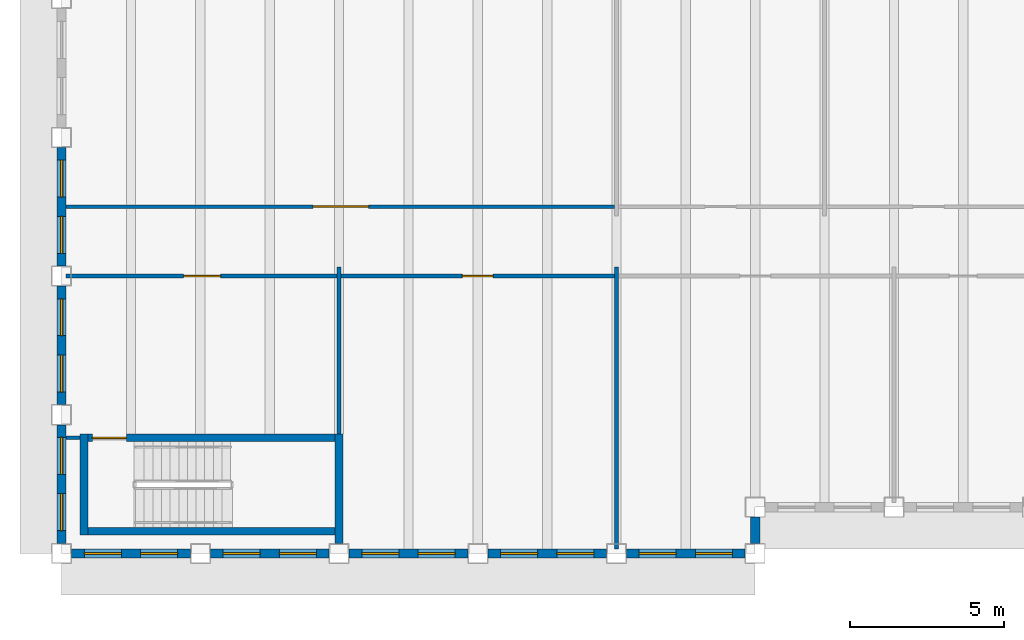
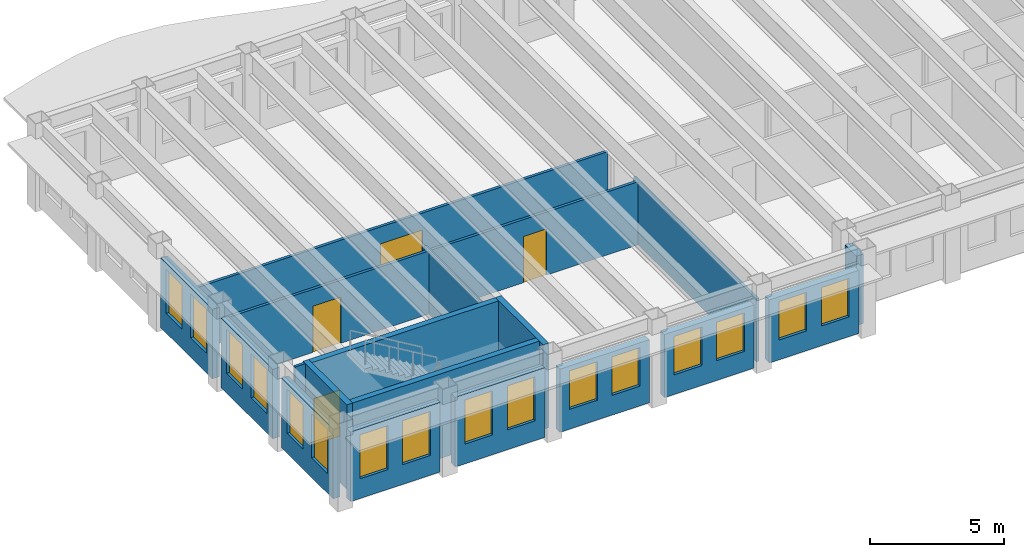
# One storey, part 2 of 12: 19 walls, 16 windows, 4 doors, 20 openings.
"""IFC4 building model written with IfcOpenShell, lengths in metres."""

from ifc_helpers import new_model, si_unit, direction, frame, frame_2d, origin, place, context, subcontext, project, spatial, rectangle, extrude, material, layer, layer_set, type_object, element, fill, save


model = new_model("IFC4")

# Units and contexts
model_context = context("Model", 3, precision=1e-05, world=origin(), true_north=direction((0.0, 1.0)))
body_context = subcontext(model_context, "Body", "Model", "MODEL_VIEW")
ifc_project = project(units=[si_unit("LENGTHUNIT", "METRE"), si_unit("AREAUNIT", "SQUARE_METRE"), si_unit("VOLUMEUNIT", "CUBIC_METRE"), si_unit("PLANEANGLEUNIT", "RADIAN"), si_unit("MASSUNIT", "GRAM", prefix="KILO")], contexts=[model_context])

# Site, building, storey
site_placement = place(None, origin())
site = spatial("IfcSite", under=ifc_project, at=site_placement, CompositionType="ELEMENT")
building_placement = place(site_placement, origin())
building = spatial("IfcBuilding", under=site, at=building_placement, Name="Sennacour Bend Tower", CompositionType="ELEMENT")
storey_placement = place(building_placement, frame((0.0, 0.0, 249.0)))
storey = spatial("IfcBuildingStorey", under=building, at=storey_placement, Name="L57", CompositionType="ELEMENT", Elevation=249.0)

# Walls
ifc_material_1 = material(Name="Plasterboard partition on steel studs", Category="steel")
ifc_layer_1 = layer(ifc_material_1, 0.1201171875, Name="Plasterboard partition on steel studs", Category="steel")
ifc_layer_set_1 = layer_set([ifc_layer_1], Name="Plasterboard partition on steel studs")
wall_type_1 = type_object("IfcWallType", Name="Partition 120", PredefinedType="PARTITIONING", material=ifc_layer_set_1)
wall_1_placement = place(storey_placement, frame((9.0, 3.875, 0.0), z_axis=(0.0, 0.0, 1.0), x_axis=(0.0, 1.0, 0.0)))
element("IfcWall", 1, at=wall_1_placement, inside=storey, type_object=wall_type_1, Name="P-L57-W005a", PredefinedType="PARTITIONING", context=body_context, shape_type="SweptSolid", body=[
    extrude(rectangle(XDim=5.425048828125, YDim=0.1201171875, at=frame_2d((2.71240234375, 0.0))), origin(), (0.0, 0.0, 1.0), 2.8701171875),
])
wall_2_placement = place(storey_placement, frame((18.0, 0.14990234375, 0.0), z_axis=(0.0, 0.0, 1.0), x_axis=(0.0, 1.0, 0.0)))
element("IfcWall", 2, at=wall_2_placement, inside=storey, type_object=wall_type_1, Name="P-L57-W006a", PredefinedType="PARTITIONING", context=body_context, shape_type="SweptSolid", body=[
    extrude(rectangle(XDim=9.150146484375, YDim=0.1201171875, at=frame_2d((4.5751953125, 0.0))), origin(), (0.0, 0.0, 1.0), 2.8701171875),
])
wall_3_placement = place(storey_placement, frame((0.14990234375, 3.75, 0.0), z_axis=(0.0, 0.0, 1.0), x_axis=(1.0, 0.0, 0.0)))
element("IfcWall", 3, at=wall_3_placement, inside=storey, type_object=wall_type_1, Name="P-L57-W036a", PredefinedType="PARTITIONING", context=body_context, shape_type="SweptSolid", body=[
    extrude(rectangle(XDim=0.4501953125, YDim=0.1201171875, at=frame_2d((0.22509765625, 0.0))), origin(), (0.0, 0.0, 1.0), 3.85009765625),
])

# Wall, opening, door
wall_4_placement = place(storey_placement, frame((9.06005859375, 9.0, 0.0), z_axis=(0.0, 0.0, 1.0), x_axis=(1.0, 0.0, 0.0)))
wall_4 = element("IfcWall", 4, at=wall_4_placement, inside=storey, type_object=wall_type_1, Name="P-L57-W043ab", PredefinedType="PARTITIONING", context=body_context, shape_type="SweptSolid", body=[
    extrude(rectangle(XDim=8.8798828125, YDim=0.1201171875, at=frame_2d((4.43994140625, 0.0))), origin(), (0.0, 0.0, 1.0), 2.8701171875),
])
opening_1_placement = place(wall_4_placement, frame((3.93994140625, 0.0, 0.0)))
opening_1 = element("IfcOpeningElement", 5, at=opening_1_placement, cuts=wall_4, Name="Opening OD2", PredefinedType="OPENING", context=body_context, shape_type="SweptSolid", body=[
    extrude(rectangle(XDim=1.0, YDim=2.10009765625, at=frame_2d((0.5, 1.050048828125))), frame((0.0, 0.070068359375, 0.0), z_axis=(0.0, -1.0, 0.0), x_axis=(1.0, 0.0, 0.0)), (0.0, 0.0, 1.0), 0.14013671875),
])
ifc_material_2 = material(Name="Timber", Category="wood")
door_type_1 = type_object("IfcDoorType", Name="DR-OFFICE-1000", OperationType="NOTDEFINED", PredefinedType="DOOR", material=ifc_material_2)
door_1_placement = place(opening_1_placement, origin())
door_1 = element("IfcDoor", 6, at=door_1_placement, inside=storey, type_object=door_type_1, Name="Door", OperationType="SINGLE_SWING_LEFT", OverallHeight=2.10009765625, OverallWidth=1.0, PredefinedType="DOOR", context=body_context, shape_type="SweptSolid", body=[
    extrude(rectangle(XDim=1.0, YDim=2.10009765625, at=frame_2d((0.5, 1.050048828125))), frame((0.0, 0.02490234375, 0.0), z_axis=(0.0, -1.0, 0.0), x_axis=(1.0, 0.0, 0.0)), (0.0, 0.0, 1.0), 0.050048828125),
])
fill(opening_1, door_1)

wall_5_placement = place(storey_placement, frame((0.14990234375, 11.25, 0.0), z_axis=(0.0, 0.0, 1.0), x_axis=(1.0, 0.0, 0.0)))
wall_5 = element("IfcWall", 7, at=wall_5_placement, inside=storey, type_object=wall_type_1, Name="P-L57-W046aa", PredefinedType="PARTITIONING", context=body_context, shape_type="SweptSolid", body=[
    extrude(rectangle(XDim=17.7900390625, YDim=0.1201171875, at=frame_2d((8.89501953125, 0.0))), origin(), (0.0, 0.0, 1.0), 2.8701171875),
])
opening_2_placement = place(wall_5_placement, frame((8.005126953125, 0.0, 0.0)))
opening_2 = element("IfcOpeningElement", 8, at=opening_2_placement, cuts=wall_5, Name="Opening OD3", PredefinedType="OPENING", context=body_context, shape_type="SweptSolid", body=[
    extrude(rectangle(XDim=1.800048828125, YDim=2.10009765625, at=frame_2d((0.89990234375, 1.050048828125))), frame((0.0, 0.070068359375, 0.0), z_axis=(0.0, -1.0, 0.0), x_axis=(1.0, 0.0, 0.0)), (0.0, 0.0, 1.0), 0.14013671875),
])
door_type_2 = type_object("IfcDoorType", Name="DR-OFFICE-1800", OperationType="NOTDEFINED", PredefinedType="DOOR", material=ifc_material_2)
door_2_placement = place(opening_2_placement, origin())
door_2 = element("IfcDoor", 9, at=door_2_placement, inside=storey, type_object=door_type_2, Name="Door", OperationType="DOUBLE_DOOR_SINGLE_SWING", OverallHeight=2.10009765625, OverallWidth=1.800048828125, PredefinedType="DOOR", context=body_context, shape_type="SweptSolid", body=[
    extrude(rectangle(XDim=1.800048828125, YDim=2.10009765625, at=frame_2d((0.89990234375, 1.050048828125))), frame((0.0, 0.02490234375, 0.0), z_axis=(0.0, -1.0, 0.0), x_axis=(1.0, 0.0, 0.0)), (0.0, 0.0, 1.0), 0.050048828125),
])
fill(opening_2, door_2)

ifc_layer_2 = layer(ifc_material_1, 0.1201171875, Name="Plasterboard partition on steel studs", Category="steel")
ifc_layer_set_2 = layer_set([ifc_layer_2], Name="Plasterboard partition on steel studs")
wall_type_2 = type_object("IfcWallType", Name="Partition 120 EI 30", PredefinedType="PARTITIONING", material=ifc_layer_set_2)
wall_6_placement = place(storey_placement, frame((0.14990234375, 9.0, 0.0), z_axis=(0.0, 0.0, 1.0), x_axis=(1.0, 0.0, 0.0)))
wall_6 = element("IfcWall", 10, at=wall_6_placement, inside=storey, type_object=wall_type_2, Name="P-L57-W043aa", PredefinedType="PARTITIONING", context=body_context, shape_type="SweptSolid", body=[
    extrude(rectangle(XDim=8.7900390625, YDim=0.1201171875, at=frame_2d((4.39501953125, 0.0))), origin(), (0.0, 0.0, 1.0), 2.8701171875),
])
opening_3_placement = place(wall_6_placement, frame((3.80517578125, 0.0, 0.0)))
opening_3 = element("IfcOpeningElement", 11, at=opening_3_placement, cuts=wall_6, Name="Opening KD2", PredefinedType="OPENING", context=body_context, shape_type="SweptSolid", body=[
    extrude(rectangle(XDim=1.199951171875, YDim=2.10009765625, at=frame_2d((0.60009765625, 1.050048828125))), frame((0.0, 0.070068359375, 0.0), z_axis=(0.0, -1.0, 0.0), x_axis=(1.0, 0.0, 0.0)), (0.0, 0.0, 1.0), 0.14013671875),
])
ifc_material_3 = material(Name="Painted steel", Category="steel")
door_type_3 = type_object("IfcDoorType", Name="DR-CORRIDOR-1200", OperationType="NOTDEFINED", PredefinedType="DOOR", material=ifc_material_3)
door_3_placement = place(opening_3_placement, origin())
door_3 = element("IfcDoor", 12, at=door_3_placement, inside=storey, type_object=door_type_3, Name="Door", OperationType="SINGLE_SWING_RIGHT", OverallHeight=2.10009765625, OverallWidth=1.199951171875, PredefinedType="DOOR", context=body_context, shape_type="SweptSolid", body=[
    extrude(rectangle(XDim=1.199951171875, YDim=2.10009765625, at=frame_2d((0.60009765625, 1.050048828125))), frame((0.0, 0.02490234375, 0.0), z_axis=(0.0, -1.0, 0.0), x_axis=(1.0, 0.0, 0.0)), (0.0, 0.0, 1.0), 0.050048828125),
])
fill(opening_3, door_3)

# Wall
ifc_material_4 = material(Name="Warm limestone cladding", Category="masonry")
ifc_layer_3 = layer(ifc_material_4, 0.050048828125, Name="Warm limestone cladding", Category="masonry")
ifc_material_5 = material(Name="Precast concrete C40/50", Category="concrete")
ifc_layer_4 = layer(ifc_material_5, 0.25, Name="Precast concrete C40/50", Category="concrete")
ifc_layer_set_3 = layer_set([ifc_layer_3, ifc_layer_4], Name="Precast concrete C40/50 with limestone cladding")
wall_type_3 = type_object("IfcWallType", Name="STONE-CLAD PRECAST SPANDREL 300", PredefinedType="STANDARD", material=ifc_layer_set_3)
wall_7_placement = place(storey_placement, frame((22.5, 0.324951171875, 0.0), z_axis=(0.0, 0.0, 1.0), x_axis=(0.0, 1.0, 0.0)))
element("IfcWall", 13, at=wall_7_placement, inside=storey, type_object=wall_type_3, Name="Stone spandrel and pier wall L57 00.00", PredefinedType="STANDARD", context=body_context, shape_type="SweptSolid", body=[
    extrude(rectangle(XDim=0.85009765625, YDim=0.300048828125, at=frame_2d((0.425048828125, 0.0))), origin(), (0.0, 0.0, 1.0), 3.162109375),
])

# Wall, openings, windows
wall_8_placement = place(storey_placement, frame((0.0, 13.175048828125, 0.0), z_axis=(0.0, 0.0, 1.0), x_axis=(0.0, -1.0, 0.0)))
wall_8 = element("IfcWall", 14, at=wall_8_placement, inside=storey, type_object=wall_type_3, Name="Stone spandrel and pier wall L57 10.02", PredefinedType="STANDARD", context=body_context, shape_type="SweptSolid", body=[
    extrude(rectangle(XDim=3.85009765625, YDim=0.300048828125, at=frame_2d((1.925048828125, 0.0))), origin(), (0.0, 0.0, 1.0), 3.162109375),
])
opening_4_placement = place(wall_8_placement, frame((0.41259765625, 0.0, 0.89990234375)))
opening_4 = element("IfcOpeningElement", 15, at=opening_4_placement, cuts=wall_8, Name="Opening W14", PredefinedType="OPENING", context=body_context, shape_type="SweptSolid", body=[
    extrude(rectangle(XDim=1.199951171875, YDim=2.0, at=frame_2d((0.60009765625, 1.0))), frame((0.0, 0.16015625, 0.0), z_axis=(0.0, -1.0, 0.0), x_axis=(1.0, 0.0, 0.0)), (0.0, 0.0, 1.0), 0.320068359375),
])
opening_5_placement = place(wall_8_placement, frame((2.237548828125, 0.0, 0.89990234375)))
opening_5 = element("IfcOpeningElement", 16, at=opening_5_placement, cuts=wall_8, Name="Opening W14", PredefinedType="OPENING", context=body_context, shape_type="SweptSolid", body=[
    extrude(rectangle(XDim=1.199951171875, YDim=2.0, at=frame_2d((0.60009765625, 1.0))), frame((0.0, 0.16015625, 0.0), z_axis=(0.0, -1.0, 0.0), x_axis=(1.0, 0.0, 0.0)), (0.0, 0.0, 1.0), 0.320068359375),
])
ifc_material_6 = material(Name="Clear low-emissivity glass", Category="glass")
window_type_1 = type_object("IfcWindowType", Name="WIN-RIBBON-1200x2000", PartitioningType="SINGLE_PANEL", PredefinedType="WINDOW", material=ifc_material_6)
window_1_placement = place(opening_4_placement, origin())
window_1 = element("IfcWindow", 17, at=window_1_placement, inside=storey, type_object=window_type_1, Name="Ribbon window L57 10.02.0", OverallHeight=2.0, OverallWidth=1.199951171875, PartitioningType="SINGLE_PANEL", PredefinedType="WINDOW", context=body_context, shape_type="SweptSolid", body=[
    extrude(rectangle(XDim=1.199951171875, YDim=2.0, at=frame_2d((0.60009765625, 1.0))), frame((0.0, 0.030029296875, 0.0), z_axis=(0.0, -1.0, 0.0), x_axis=(1.0, 0.0, 0.0)), (0.0, 0.0, 1.0), 0.06005859375),
])
fill(opening_4, window_1)
window_2_placement = place(opening_5_placement, origin())
window_2 = element("IfcWindow", 18, at=window_2_placement, inside=storey, type_object=window_type_1, Name="Ribbon window L57 10.02.1", OverallHeight=2.0, OverallWidth=1.199951171875, PartitioningType="SINGLE_PANEL", PredefinedType="WINDOW", context=body_context, shape_type="SweptSolid", body=[
    extrude(rectangle(XDim=1.199951171875, YDim=2.0, at=frame_2d((0.60009765625, 1.0))), frame((0.0, 0.030029296875, 0.0), z_axis=(0.0, -1.0, 0.0), x_axis=(1.0, 0.0, 0.0)), (0.0, 0.0, 1.0), 0.06005859375),
])
fill(opening_5, window_2)

wall_9_placement = place(storey_placement, frame((0.0, 8.675048828125, 0.0), z_axis=(0.0, 0.0, 1.0), x_axis=(0.0, -1.0, 0.0)))
wall_9 = element("IfcWall", 19, at=wall_9_placement, inside=storey, type_object=wall_type_3, Name="Stone spandrel and pier wall L57 10.03", PredefinedType="STANDARD", context=body_context, shape_type="SweptSolid", body=[
    extrude(rectangle(XDim=3.85009765625, YDim=0.300048828125, at=frame_2d((1.925048828125, 0.0))), origin(), (0.0, 0.0, 1.0), 3.162109375),
])
opening_6_placement = place(wall_9_placement, frame((0.41259765625, 0.0, 0.89990234375)))
opening_6 = element("IfcOpeningElement", 20, at=opening_6_placement, cuts=wall_9, Name="Opening W14", PredefinedType="OPENING", context=body_context, shape_type="SweptSolid", body=[
    extrude(rectangle(XDim=1.199951171875, YDim=2.0, at=frame_2d((0.60009765625, 1.0))), frame((0.0, 0.16015625, 0.0), z_axis=(0.0, -1.0, 0.0), x_axis=(1.0, 0.0, 0.0)), (0.0, 0.0, 1.0), 0.320068359375),
])
opening_7_placement = place(wall_9_placement, frame((2.237548828125, 0.0, 0.89990234375)))
opening_7 = element("IfcOpeningElement", 21, at=opening_7_placement, cuts=wall_9, Name="Opening W14", PredefinedType="OPENING", context=body_context, shape_type="SweptSolid", body=[
    extrude(rectangle(XDim=1.199951171875, YDim=2.0, at=frame_2d((0.60009765625, 1.0))), frame((0.0, 0.16015625, 0.0), z_axis=(0.0, -1.0, 0.0), x_axis=(1.0, 0.0, 0.0)), (0.0, 0.0, 1.0), 0.320068359375),
])
window_3_placement = place(opening_6_placement, origin())
window_3 = element("IfcWindow", 22, at=window_3_placement, inside=storey, type_object=window_type_1, Name="Ribbon window L57 10.03.0", OverallHeight=2.0, OverallWidth=1.199951171875, PartitioningType="SINGLE_PANEL", PredefinedType="WINDOW", context=body_context, shape_type="SweptSolid", body=[
    extrude(rectangle(XDim=1.199951171875, YDim=2.0, at=frame_2d((0.60009765625, 1.0))), frame((0.0, 0.030029296875, 0.0), z_axis=(0.0, -1.0, 0.0), x_axis=(1.0, 0.0, 0.0)), (0.0, 0.0, 1.0), 0.06005859375),
])
fill(opening_6, window_3)
window_4_placement = place(opening_7_placement, origin())
window_4 = element("IfcWindow", 23, at=window_4_placement, inside=storey, type_object=window_type_1, Name="Ribbon window L57 10.03.1", OverallHeight=2.0, OverallWidth=1.199951171875, PartitioningType="SINGLE_PANEL", PredefinedType="WINDOW", context=body_context, shape_type="SweptSolid", body=[
    extrude(rectangle(XDim=1.199951171875, YDim=2.0, at=frame_2d((0.60009765625, 1.0))), frame((0.0, 0.030029296875, 0.0), z_axis=(0.0, -1.0, 0.0), x_axis=(1.0, 0.0, 0.0)), (0.0, 0.0, 1.0), 0.06005859375),
])
fill(opening_7, window_4)

wall_10_placement = place(storey_placement, frame((0.0, 4.175048828125, 0.0), z_axis=(0.0, 0.0, 1.0), x_axis=(0.0, -1.0, 0.0)))
wall_10 = element("IfcWall", 24, at=wall_10_placement, inside=storey, type_object=wall_type_3, Name="Stone spandrel and pier wall L57 10.04", PredefinedType="STANDARD", context=body_context, shape_type="SweptSolid", body=[
    extrude(rectangle(XDim=3.85009765625, YDim=0.300048828125, at=frame_2d((1.925048828125, 0.0))), origin(), (0.0, 0.0, 1.0), 3.162109375),
])
opening_8_placement = place(wall_10_placement, frame((0.41259765625, 0.0, 0.89990234375)))
opening_8 = element("IfcOpeningElement", 25, at=opening_8_placement, cuts=wall_10, Name="Opening W14", PredefinedType="OPENING", context=body_context, shape_type="SweptSolid", body=[
    extrude(rectangle(XDim=1.199951171875, YDim=2.0, at=frame_2d((0.60009765625, 1.0))), frame((0.0, 0.16015625, 0.0), z_axis=(0.0, -1.0, 0.0), x_axis=(1.0, 0.0, 0.0)), (0.0, 0.0, 1.0), 0.320068359375),
])
opening_9_placement = place(wall_10_placement, frame((2.237548828125, 0.0, 0.89990234375)))
opening_9 = element("IfcOpeningElement", 26, at=opening_9_placement, cuts=wall_10, Name="Opening W14", PredefinedType="OPENING", context=body_context, shape_type="SweptSolid", body=[
    extrude(rectangle(XDim=1.199951171875, YDim=2.0, at=frame_2d((0.60009765625, 1.0))), frame((0.0, 0.16015625, 0.0), z_axis=(0.0, -1.0, 0.0), x_axis=(1.0, 0.0, 0.0)), (0.0, 0.0, 1.0), 0.320068359375),
])
window_5_placement = place(opening_8_placement, origin())
window_5 = element("IfcWindow", 27, at=window_5_placement, inside=storey, type_object=window_type_1, Name="Ribbon window L57 10.04.0", OverallHeight=2.0, OverallWidth=1.199951171875, PartitioningType="SINGLE_PANEL", PredefinedType="WINDOW", context=body_context, shape_type="SweptSolid", body=[
    extrude(rectangle(XDim=1.199951171875, YDim=2.0, at=frame_2d((0.60009765625, 1.0))), frame((0.0, 0.030029296875, 0.0), z_axis=(0.0, -1.0, 0.0), x_axis=(1.0, 0.0, 0.0)), (0.0, 0.0, 1.0), 0.06005859375),
])
fill(opening_8, window_5)
window_6_placement = place(opening_9_placement, origin())
window_6 = element("IfcWindow", 28, at=window_6_placement, inside=storey, type_object=window_type_1, Name="Ribbon window L57 10.04.1", OverallHeight=2.0, OverallWidth=1.199951171875, PartitioningType="SINGLE_PANEL", PredefinedType="WINDOW", context=body_context, shape_type="SweptSolid", body=[
    extrude(rectangle(XDim=1.199951171875, YDim=2.0, at=frame_2d((0.60009765625, 1.0))), frame((0.0, 0.030029296875, 0.0), z_axis=(0.0, -1.0, 0.0), x_axis=(1.0, 0.0, 0.0)), (0.0, 0.0, 1.0), 0.06005859375),
])
fill(opening_9, window_6)

wall_11_placement = place(storey_placement, frame((0.324951171875, 0.0, 0.0), z_axis=(0.0, 0.0, 1.0), x_axis=(1.0, 0.0, 0.0)))
wall_11 = element("IfcWall", 29, at=wall_11_placement, inside=storey, type_object=wall_type_3, Name="Stone spandrel and pier wall L57 11.00", PredefinedType="STANDARD", context=body_context, shape_type="SweptSolid", body=[
    extrude(rectangle(XDim=3.85009765625, YDim=0.300048828125, at=frame_2d((1.925048828125, 0.0))), origin(), (0.0, 0.0, 1.0), 3.162109375),
])
opening_10_placement = place(wall_11_placement, frame((0.41259765625, 0.0, 0.89990234375)))
opening_10 = element("IfcOpeningElement", 30, at=opening_10_placement, cuts=wall_11, Name="Opening W14", PredefinedType="OPENING", context=body_context, shape_type="SweptSolid", body=[
    extrude(rectangle(XDim=1.199951171875, YDim=2.0, at=frame_2d((0.60009765625, 1.0))), frame((0.0, 0.16015625, 0.0), z_axis=(0.0, -1.0, 0.0), x_axis=(1.0, 0.0, 0.0)), (0.0, 0.0, 1.0), 0.320068359375),
])
opening_11_placement = place(wall_11_placement, frame((2.237548828125, 0.0, 0.89990234375)))
opening_11 = element("IfcOpeningElement", 31, at=opening_11_placement, cuts=wall_11, Name="Opening W14", PredefinedType="OPENING", context=body_context, shape_type="SweptSolid", body=[
    extrude(rectangle(XDim=1.199951171875, YDim=2.0, at=frame_2d((0.60009765625, 1.0))), frame((0.0, 0.16015625, 0.0), z_axis=(0.0, -1.0, 0.0), x_axis=(1.0, 0.0, 0.0)), (0.0, 0.0, 1.0), 0.320068359375),
])
window_7_placement = place(opening_10_placement, origin())
window_7 = element("IfcWindow", 32, at=window_7_placement, inside=storey, type_object=window_type_1, Name="Ribbon window L57 11.00.0", OverallHeight=2.0, OverallWidth=1.199951171875, PartitioningType="SINGLE_PANEL", PredefinedType="WINDOW", context=body_context, shape_type="SweptSolid", body=[
    extrude(rectangle(XDim=1.199951171875, YDim=2.0, at=frame_2d((0.60009765625, 1.0))), frame((0.0, 0.030029296875, 0.0), z_axis=(0.0, -1.0, 0.0), x_axis=(1.0, 0.0, 0.0)), (0.0, 0.0, 1.0), 0.06005859375),
])
fill(opening_10, window_7)
window_8_placement = place(opening_11_placement, origin())
window_8 = element("IfcWindow", 33, at=window_8_placement, inside=storey, type_object=window_type_1, Name="Ribbon window L57 11.00.1", OverallHeight=2.0, OverallWidth=1.199951171875, PartitioningType="SINGLE_PANEL", PredefinedType="WINDOW", context=body_context, shape_type="SweptSolid", body=[
    extrude(rectangle(XDim=1.199951171875, YDim=2.0, at=frame_2d((0.60009765625, 1.0))), frame((0.0, 0.030029296875, 0.0), z_axis=(0.0, -1.0, 0.0), x_axis=(1.0, 0.0, 0.0)), (0.0, 0.0, 1.0), 0.06005859375),
])
fill(opening_11, window_8)

wall_12_placement = place(storey_placement, frame((4.824951171875, 0.0, 0.0), z_axis=(0.0, 0.0, 1.0), x_axis=(1.0, 0.0, 0.0)))
wall_12 = element("IfcWall", 34, at=wall_12_placement, inside=storey, type_object=wall_type_3, Name="Stone spandrel and pier wall L57 11.01", PredefinedType="STANDARD", context=body_context, shape_type="SweptSolid", body=[
    extrude(rectangle(XDim=3.85009765625, YDim=0.300048828125, at=frame_2d((1.925048828125, 0.0))), origin(), (0.0, 0.0, 1.0), 3.162109375),
])
opening_12_placement = place(wall_12_placement, frame((0.41259765625, 0.0, 0.89990234375)))
opening_12 = element("IfcOpeningElement", 35, at=opening_12_placement, cuts=wall_12, Name="Opening W14", PredefinedType="OPENING", context=body_context, shape_type="SweptSolid", body=[
    extrude(rectangle(XDim=1.199951171875, YDim=2.0, at=frame_2d((0.60009765625, 1.0))), frame((0.0, 0.16015625, 0.0), z_axis=(0.0, -1.0, 0.0), x_axis=(1.0, 0.0, 0.0)), (0.0, 0.0, 1.0), 0.320068359375),
])
opening_13_placement = place(wall_12_placement, frame((2.237548828125, 0.0, 0.89990234375)))
opening_13 = element("IfcOpeningElement", 36, at=opening_13_placement, cuts=wall_12, Name="Opening W14", PredefinedType="OPENING", context=body_context, shape_type="SweptSolid", body=[
    extrude(rectangle(XDim=1.199951171875, YDim=2.0, at=frame_2d((0.60009765625, 1.0))), frame((0.0, 0.16015625, 0.0), z_axis=(0.0, -1.0, 0.0), x_axis=(1.0, 0.0, 0.0)), (0.0, 0.0, 1.0), 0.320068359375),
])
window_9_placement = place(opening_12_placement, origin())
window_9 = element("IfcWindow", 37, at=window_9_placement, inside=storey, type_object=window_type_1, Name="Ribbon window L57 11.01.0", OverallHeight=2.0, OverallWidth=1.199951171875, PartitioningType="SINGLE_PANEL", PredefinedType="WINDOW", context=body_context, shape_type="SweptSolid", body=[
    extrude(rectangle(XDim=1.199951171875, YDim=2.0, at=frame_2d((0.60009765625, 1.0))), frame((0.0, 0.030029296875, 0.0), z_axis=(0.0, -1.0, 0.0), x_axis=(1.0, 0.0, 0.0)), (0.0, 0.0, 1.0), 0.06005859375),
])
fill(opening_12, window_9)
window_10_placement = place(opening_13_placement, origin())
window_10 = element("IfcWindow", 38, at=window_10_placement, inside=storey, type_object=window_type_1, Name="Ribbon window L57 11.01.1", OverallHeight=2.0, OverallWidth=1.199951171875, PartitioningType="SINGLE_PANEL", PredefinedType="WINDOW", context=body_context, shape_type="SweptSolid", body=[
    extrude(rectangle(XDim=1.199951171875, YDim=2.0, at=frame_2d((0.60009765625, 1.0))), frame((0.0, 0.030029296875, 0.0), z_axis=(0.0, -1.0, 0.0), x_axis=(1.0, 0.0, 0.0)), (0.0, 0.0, 1.0), 0.06005859375),
])
fill(opening_13, window_10)

wall_13_placement = place(storey_placement, frame((9.324951171875, 0.0, 0.0), z_axis=(0.0, 0.0, 1.0), x_axis=(1.0, 0.0, 0.0)))
wall_13 = element("IfcWall", 39, at=wall_13_placement, inside=storey, type_object=wall_type_3, Name="Stone spandrel and pier wall L57 11.02", PredefinedType="STANDARD", context=body_context, shape_type="SweptSolid", body=[
    extrude(rectangle(XDim=3.85009765625, YDim=0.300048828125, at=frame_2d((1.925048828125, 0.0))), origin(), (0.0, 0.0, 1.0), 2.8701171875),
])
opening_14_placement = place(wall_13_placement, frame((0.41259765625, 0.0, 0.89990234375)))
opening_14 = element("IfcOpeningElement", 40, at=opening_14_placement, cuts=wall_13, Name="Opening W16", PredefinedType="OPENING", context=body_context, shape_type="SweptSolid", body=[
    extrude(rectangle(XDim=1.199951171875, YDim=1.75, at=frame_2d((0.60009765625, 0.875))), frame((0.0, 0.16015625, 0.0), z_axis=(0.0, -1.0, 0.0), x_axis=(1.0, 0.0, 0.0)), (0.0, 0.0, 1.0), 0.320068359375),
])
opening_15_placement = place(wall_13_placement, frame((2.237548828125, 0.0, 0.89990234375)))
opening_15 = element("IfcOpeningElement", 41, at=opening_15_placement, cuts=wall_13, Name="Opening W16", PredefinedType="OPENING", context=body_context, shape_type="SweptSolid", body=[
    extrude(rectangle(XDim=1.199951171875, YDim=1.75, at=frame_2d((0.60009765625, 0.875))), frame((0.0, 0.16015625, 0.0), z_axis=(0.0, -1.0, 0.0), x_axis=(1.0, 0.0, 0.0)), (0.0, 0.0, 1.0), 0.320068359375),
])
window_type_2 = type_object("IfcWindowType", Name="WIN-RIBBON-1200x1750", PartitioningType="SINGLE_PANEL", PredefinedType="WINDOW", material=ifc_material_6)
window_11_placement = place(opening_14_placement, origin())
window_11 = element("IfcWindow", 42, at=window_11_placement, inside=storey, type_object=window_type_2, Name="Ribbon window L57 11.02.0", OverallHeight=1.75, OverallWidth=1.199951171875, PartitioningType="SINGLE_PANEL", PredefinedType="WINDOW", context=body_context, shape_type="SweptSolid", body=[
    extrude(rectangle(XDim=1.199951171875, YDim=1.75, at=frame_2d((0.60009765625, 0.875))), frame((0.0, 0.030029296875, 0.0), z_axis=(0.0, -1.0, 0.0), x_axis=(1.0, 0.0, 0.0)), (0.0, 0.0, 1.0), 0.06005859375),
])
fill(opening_14, window_11)
window_12_placement = place(opening_15_placement, origin())
window_12 = element("IfcWindow", 43, at=window_12_placement, inside=storey, type_object=window_type_2, Name="Ribbon window L57 11.02.1", OverallHeight=1.75, OverallWidth=1.199951171875, PartitioningType="SINGLE_PANEL", PredefinedType="WINDOW", context=body_context, shape_type="SweptSolid", body=[
    extrude(rectangle(XDim=1.199951171875, YDim=1.75, at=frame_2d((0.60009765625, 0.875))), frame((0.0, 0.030029296875, 0.0), z_axis=(0.0, -1.0, 0.0), x_axis=(1.0, 0.0, 0.0)), (0.0, 0.0, 1.0), 0.06005859375),
])
fill(opening_15, window_12)

wall_14_placement = place(storey_placement, frame((13.824951171875, 0.0, 0.0), z_axis=(0.0, 0.0, 1.0), x_axis=(1.0, 0.0, 0.0)))
wall_14 = element("IfcWall", 44, at=wall_14_placement, inside=storey, type_object=wall_type_3, Name="Stone spandrel and pier wall L57 11.03", PredefinedType="STANDARD", context=body_context, shape_type="SweptSolid", body=[
    extrude(rectangle(XDim=3.85009765625, YDim=0.300048828125, at=frame_2d((1.925048828125, 0.0))), origin(), (0.0, 0.0, 1.0), 2.8701171875),
])
opening_16_placement = place(wall_14_placement, frame((0.41259765625, 0.0, 0.89990234375)))
opening_16 = element("IfcOpeningElement", 45, at=opening_16_placement, cuts=wall_14, Name="Opening W16", PredefinedType="OPENING", context=body_context, shape_type="SweptSolid", body=[
    extrude(rectangle(XDim=1.199951171875, YDim=1.75, at=frame_2d((0.60009765625, 0.875))), frame((0.0, 0.16015625, 0.0), z_axis=(0.0, -1.0, 0.0), x_axis=(1.0, 0.0, 0.0)), (0.0, 0.0, 1.0), 0.320068359375),
])
opening_17_placement = place(wall_14_placement, frame((2.237548828125, 0.0, 0.89990234375)))
opening_17 = element("IfcOpeningElement", 46, at=opening_17_placement, cuts=wall_14, Name="Opening W16", PredefinedType="OPENING", context=body_context, shape_type="SweptSolid", body=[
    extrude(rectangle(XDim=1.199951171875, YDim=1.75, at=frame_2d((0.60009765625, 0.875))), frame((0.0, 0.16015625, 0.0), z_axis=(0.0, -1.0, 0.0), x_axis=(1.0, 0.0, 0.0)), (0.0, 0.0, 1.0), 0.320068359375),
])
window_13_placement = place(opening_16_placement, origin())
window_13 = element("IfcWindow", 47, at=window_13_placement, inside=storey, type_object=window_type_2, Name="Ribbon window L57 11.03.0", OverallHeight=1.75, OverallWidth=1.199951171875, PartitioningType="SINGLE_PANEL", PredefinedType="WINDOW", context=body_context, shape_type="SweptSolid", body=[
    extrude(rectangle(XDim=1.199951171875, YDim=1.75, at=frame_2d((0.60009765625, 0.875))), frame((0.0, 0.030029296875, 0.0), z_axis=(0.0, -1.0, 0.0), x_axis=(1.0, 0.0, 0.0)), (0.0, 0.0, 1.0), 0.06005859375),
])
fill(opening_16, window_13)
window_14_placement = place(opening_17_placement, origin())
window_14 = element("IfcWindow", 48, at=window_14_placement, inside=storey, type_object=window_type_2, Name="Ribbon window L57 11.03.1", OverallHeight=1.75, OverallWidth=1.199951171875, PartitioningType="SINGLE_PANEL", PredefinedType="WINDOW", context=body_context, shape_type="SweptSolid", body=[
    extrude(rectangle(XDim=1.199951171875, YDim=1.75, at=frame_2d((0.60009765625, 0.875))), frame((0.0, 0.030029296875, 0.0), z_axis=(0.0, -1.0, 0.0), x_axis=(1.0, 0.0, 0.0)), (0.0, 0.0, 1.0), 0.06005859375),
])
fill(opening_17, window_14)

wall_15_placement = place(storey_placement, frame((18.324951171875, 0.0, 0.0), z_axis=(0.0, 0.0, 1.0), x_axis=(1.0, 0.0, 0.0)))
wall_15 = element("IfcWall", 49, at=wall_15_placement, inside=storey, type_object=wall_type_3, Name="Stone spandrel and pier wall L57 11.04", PredefinedType="STANDARD", context=body_context, shape_type="SweptSolid", body=[
    extrude(rectangle(XDim=3.85009765625, YDim=0.300048828125, at=frame_2d((1.925048828125, 0.0))), origin(), (0.0, 0.0, 1.0), 2.8701171875),
])
opening_18_placement = place(wall_15_placement, frame((0.41259765625, 0.0, 0.89990234375)))
opening_18 = element("IfcOpeningElement", 50, at=opening_18_placement, cuts=wall_15, Name="Opening W16", PredefinedType="OPENING", context=body_context, shape_type="SweptSolid", body=[
    extrude(rectangle(XDim=1.199951171875, YDim=1.75, at=frame_2d((0.60009765625, 0.875))), frame((0.0, 0.16015625, 0.0), z_axis=(0.0, -1.0, 0.0), x_axis=(1.0, 0.0, 0.0)), (0.0, 0.0, 1.0), 0.320068359375),
])
opening_19_placement = place(wall_15_placement, frame((2.237548828125, 0.0, 0.89990234375)))
opening_19 = element("IfcOpeningElement", 51, at=opening_19_placement, cuts=wall_15, Name="Opening W16", PredefinedType="OPENING", context=body_context, shape_type="SweptSolid", body=[
    extrude(rectangle(XDim=1.199951171875, YDim=1.75, at=frame_2d((0.60009765625, 0.875))), frame((0.0, 0.16015625, 0.0), z_axis=(0.0, -1.0, 0.0), x_axis=(1.0, 0.0, 0.0)), (0.0, 0.0, 1.0), 0.320068359375),
])
window_15_placement = place(opening_18_placement, origin())
window_15 = element("IfcWindow", 52, at=window_15_placement, inside=storey, type_object=window_type_2, Name="Ribbon window L57 11.04.0", OverallHeight=1.75, OverallWidth=1.199951171875, PartitioningType="SINGLE_PANEL", PredefinedType="WINDOW", context=body_context, shape_type="SweptSolid", body=[
    extrude(rectangle(XDim=1.199951171875, YDim=1.75, at=frame_2d((0.60009765625, 0.875))), frame((0.0, 0.030029296875, 0.0), z_axis=(0.0, -1.0, 0.0), x_axis=(1.0, 0.0, 0.0)), (0.0, 0.0, 1.0), 0.06005859375),
])
fill(opening_18, window_15)
window_16_placement = place(opening_19_placement, origin())
window_16 = element("IfcWindow", 53, at=window_16_placement, inside=storey, type_object=window_type_2, Name="Ribbon window L57 11.04.1", OverallHeight=1.75, OverallWidth=1.199951171875, PartitioningType="SINGLE_PANEL", PredefinedType="WINDOW", context=body_context, shape_type="SweptSolid", body=[
    extrude(rectangle(XDim=1.199951171875, YDim=1.75, at=frame_2d((0.60009765625, 0.875))), frame((0.0, 0.030029296875, 0.0), z_axis=(0.0, -1.0, 0.0), x_axis=(1.0, 0.0, 0.0)), (0.0, 0.0, 1.0), 0.06005859375),
])
fill(opening_19, window_16)

# Walls
ifc_material_7 = material(Name="Concrete C60/75", Category="concrete")
ifc_layer_5 = layer(ifc_material_7, 0.25, Name="Concrete C60/75", Category="concrete")
ifc_layer_set_4 = layer_set([ifc_layer_5], Name="Concrete C60/75")
wall_type_4 = type_object("IfcWallType", Name="Stair wall 250", PredefinedType="SHEAR", material=ifc_layer_set_4)
wall_16_placement = place(storey_placement, frame((0.72509765625, 0.60009765625, 0.0), z_axis=(0.0, 0.0, 1.0), x_axis=(0.0, 1.0, 0.0)))
element("IfcWall", 54, at=wall_16_placement, inside=storey, type_object=wall_type_4, Name="P-L57-W002", PredefinedType="SHEAR", context=body_context, shape_type="SweptSolid", body=[
    extrude(rectangle(XDim=3.27490234375, YDim=0.25, at=frame_2d((1.637451171875, 0.0))), origin(), (0.0, 0.0, 1.0), 3.85009765625),
])
wall_17_placement = place(storey_placement, frame((9.0, 0.324951171875, 0.0), z_axis=(0.0, 0.0, 1.0), x_axis=(0.0, 1.0, 0.0)))
element("IfcWall", 55, at=wall_17_placement, inside=storey, type_object=wall_type_4, Name="P-L57-W004", PredefinedType="SHEAR", context=body_context, shape_type="SweptSolid", body=[
    extrude(rectangle(XDim=3.550048828125, YDim=0.25, at=frame_2d((1.77490234375, 0.0))), origin(), (0.0, 0.0, 1.0), 3.85009765625),
])
wall_18_placement = place(storey_placement, frame((0.85009765625, 0.72509765625, 0.0), z_axis=(0.0, 0.0, 1.0), x_axis=(1.0, 0.0, 0.0)))
element("IfcWall", 56, at=wall_18_placement, inside=storey, type_object=wall_type_4, Name="P-L57-W033", PredefinedType="SHEAR", context=body_context, shape_type="SweptSolid", body=[
    extrude(rectangle(XDim=8.02490234375, YDim=0.25, at=frame_2d((4.012451171875, 0.0))), origin(), (0.0, 0.0, 1.0), 3.85009765625),
])

# Wall, opening, door
wall_19_placement = place(storey_placement, frame((0.85009765625, 3.75, 0.0), z_axis=(0.0, 0.0, 1.0), x_axis=(1.0, 0.0, 0.0)))
wall_19 = element("IfcWall", 57, at=wall_19_placement, inside=storey, type_object=wall_type_4, Name="P-L57-W037", PredefinedType="SHEAR", context=body_context, shape_type="SweptSolid", body=[
    extrude(rectangle(XDim=8.02490234375, YDim=0.25, at=frame_2d((4.012451171875, 0.0))), origin(), (0.0, 0.0, 1.0), 3.85009765625),
])
opening_20_placement = place(wall_19_placement, frame((0.14990234375, 0.0, 0.0)))
opening_20 = element("IfcOpeningElement", 58, at=opening_20_placement, cuts=wall_19, Name="Opening SD", PredefinedType="OPENING", context=body_context, shape_type="SweptSolid", body=[
    extrude(rectangle(XDim=1.10009765625, YDim=2.10009765625, at=frame_2d((0.550048828125, 1.050048828125))), frame((0.0, 0.135009765625, 0.0), z_axis=(0.0, -1.0, 0.0), x_axis=(1.0, 0.0, 0.0)), (0.0, 0.0, 1.0), 0.27001953125),
])
door_type_4 = type_object("IfcDoorType", Name="DR-STAIR-1100", OperationType="NOTDEFINED", PredefinedType="DOOR", material=ifc_material_3)
door_4_placement = place(opening_20_placement, origin())
door_4 = element("IfcDoor", 59, at=door_4_placement, inside=storey, type_object=door_type_4, Name="Door", OperationType="SINGLE_SWING_LEFT", OverallHeight=2.10009765625, OverallWidth=1.10009765625, PredefinedType="DOOR", context=body_context, shape_type="SweptSolid", body=[
    extrude(rectangle(XDim=1.10009765625, YDim=2.10009765625, at=frame_2d((0.550048828125, 1.050048828125))), frame((0.0, 0.02490234375, 0.0), z_axis=(0.0, -1.0, 0.0), x_axis=(1.0, 0.0, 0.0)), (0.0, 0.0, 1.0), 0.050048828125),
])
fill(opening_20, door_4)

save(model, "model.ifc")
